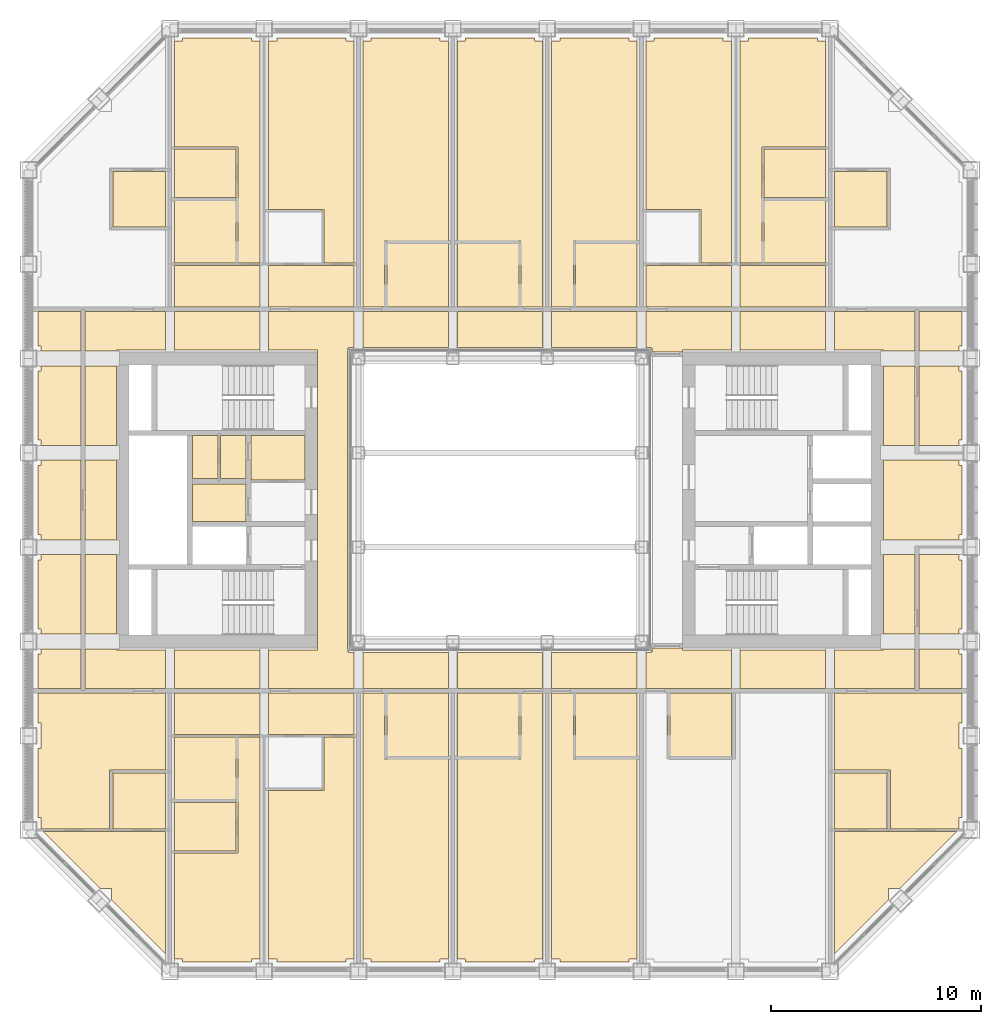
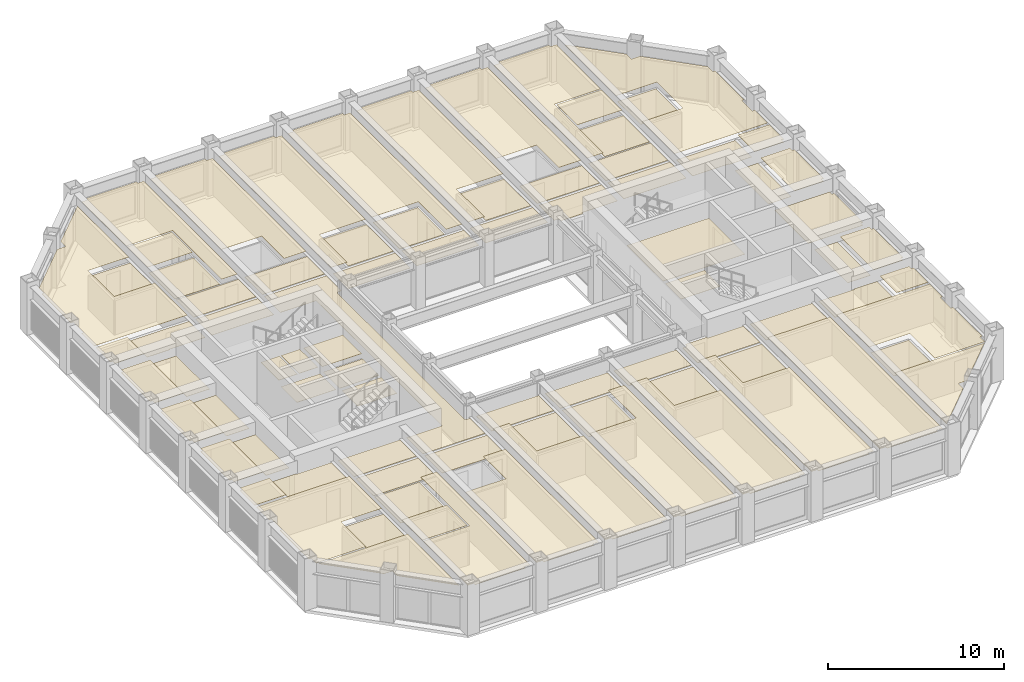
# One storey, part 17 of 18: 4 coverings.
"""IFC4 building model written with IfcOpenShell, lengths in metres."""

from ifc_helpers import new_model, si_unit, direction, frame, origin, place, context, subcontext, project, spatial, line, indexed_curve, outline, extrude, material, layer, layer_set, type_object, element, save


model = new_model("IFC4")

# Units and contexts
model_context = context("Model", 3, precision=1e-05, world=origin(), true_north=direction((0.0, 1.0)))
body_context = subcontext(model_context, "Body", "Model", "MODEL_VIEW")
ifc_project = project(units=[si_unit("LENGTHUNIT", "METRE"), si_unit("AREAUNIT", "SQUARE_METRE"), si_unit("VOLUMEUNIT", "CUBIC_METRE"), si_unit("PLANEANGLEUNIT", "RADIAN"), si_unit("MASSUNIT", "GRAM", prefix="KILO")], contexts=[model_context])

# Site, building, storey
site_placement = place(None, origin())
site = spatial("IfcSite", under=ifc_project, at=site_placement, CompositionType="ELEMENT")
building_placement = place(site_placement, origin())
building = spatial("IfcBuilding", under=site, at=building_placement, Name="Msasa Ring Tower", CompositionType="ELEMENT")
storey_placement = place(building_placement, frame((0.0, 0.0, 186.800048828125)))
storey = spatial("IfcBuildingStorey", under=building, at=storey_placement, Name="L49", CompositionType="ELEMENT", Elevation=186.800048828125)

# Coverings
ifc_material_1 = material(Name="Gypsum plasterboard on a steel suspension grid", Category="steel")
ifc_layer_1 = layer(ifc_material_1, 0.014892578125)
ifc_layer_set_1 = layer_set([ifc_layer_1], Name="C1 SUSPENDED PLASTERBOARD CEILING 15")
covering_type_1 = type_object("IfcCoveringType", Name="C1 SUSPENDED PLASTERBOARD CEILING 15", PredefinedType="CEILING", material=ifc_layer_set_1)
covering_1_placement = place(storey_placement, frame((0.0, 0.0, 2.39990234375)))
element("IfcCovering", 1, at=covering_1_placement, inside=storey, type_object=covering_type_1, Name="Suspended Plasterboard Ceiling 15 circulation L49", PredefinedType="CEILING", context=body_context, shape_type="SweptSolid", body=[
    extrude(outline(indexed_curve([(-19.799560546875, -8.99951171875), (-19.799560546875, -7.1005859375), (-18.300537109375, -7.1005859375), (-18.300537109375, -7.150390625), (-15.960693359375, -7.150390625), (-15.960693359375, -8.99951171875)], segments=[line(1, 2, 3, 4, 5, 6, 1)], self_intersect=False)), origin(), (0.0, 0.0, 1.0), 0.01513671875),
    extrude(outline(indexed_curve([(-19.799560546875, -2.6005859375), (-18.300537109375, -2.6005859375), (-18.300537109375, -6.3994140625), (-19.799560546875, -6.3994140625)], segments=[line(1, 2, 3, 4, 1)], self_intersect=False)), origin(), (0.0, 0.0, 1.0), 0.01513671875),
    extrude(outline(indexed_curve([(-19.799560546875, 1.8994140625), (-18.300537109375, 1.8994140625), (-18.300537109375, -1.8994140625), (-19.799560546875, -1.8994140625)], segments=[line(1, 2, 3, 4, 1)], self_intersect=False)), origin(), (0.0, 0.0, 1.0), 0.01513671875),
    extrude(outline(indexed_curve([(-19.799560546875, 6.3994140625), (-18.300537109375, 6.3994140625), (-18.300537109375, 2.6005859375), (-19.799560546875, 2.6005859375)], segments=[line(1, 2, 3, 4, 1)], self_intersect=False)), origin(), (0.0, 0.0, 1.0), 0.01513671875),
    extrude(outline(indexed_curve([(-19.799560546875, 8.99951171875), (-15.960693359375, 8.99951171875), (-15.960693359375, 7.150390625), (-18.300537109375, 7.150390625), (-18.300537109375, 7.1005859375), (-19.799560546875, 7.1005859375)], segments=[line(1, 2, 3, 4, 5, 6, 1)], self_intersect=False)), origin(), (0.0, 0.0, 1.0), 0.01513671875),
    extrude(outline(indexed_curve([(-15.539306640625, -11.199462890625), (-15.539306640625, -9.200439453125), (-11.460693359375, -9.200439453125), (-11.460693359375, -11.199462890625)], segments=[line(1, 2, 3, 4, 1)], self_intersect=False)), origin(), (0.0, 0.0, 1.0), 0.01513671875),
    extrude(outline(indexed_curve([(-15.539306640625, -8.99951171875), (-15.539306640625, -7.150390625), (-11.460693359375, -7.150390625), (-11.460693359375, -8.99951171875)], segments=[line(1, 2, 3, 4, 1)], self_intersect=False)), origin(), (0.0, 0.0, 1.0), 0.01513671875),
    extrude(outline(indexed_curve([(-11.460693359375, 8.99951171875), (-11.460693359375, 7.150390625), (-15.539306640625, 7.150390625), (-15.539306640625, 8.99951171875)], segments=[line(1, 2, 3, 4, 1)], self_intersect=False)), origin(), (0.0, 0.0, 1.0), 0.01513671875),
    extrude(outline(indexed_curve([(-15.539306640625, 9.200439453125), (-15.539306640625, 11.199462890625), (-11.460693359375, 11.199462890625), (-11.460693359375, 9.200439453125)], segments=[line(1, 2, 3, 4, 1)], self_intersect=False)), origin(), (0.0, 0.0, 1.0), 0.01513671875),
    extrude(outline(indexed_curve([(-11.87451171875, -3.074462890625), (-11.87451171875, -1.275390625), (-9.300537109375, -1.275390625), (-9.300537109375, -3.074462890625)], segments=[line(1, 2, 3, 4, 1)], self_intersect=False)), origin(), (0.0, 0.0, 1.0), 0.01513671875),
    extrude(outline(indexed_curve([(-11.87451171875, -1.0244140625), (-11.87451171875, 0.844482421875), (-9.300537109375, 0.844482421875), (-9.300537109375, -1.0244140625)], segments=[line(1, 2, 3, 4, 1)], self_intersect=False)), origin(), (0.0, 0.0, 1.0), 0.01513671875),
    extrude(outline(indexed_curve([(-11.039306640625, -11.199462890625), (-11.039306640625, -9.200439453125), (-6.960693359375, -9.200439453125), (-6.960693359375, -11.199462890625)], segments=[line(1, 2, 3, 4, 1)], self_intersect=False)), origin(), (0.0, 0.0, 1.0), 0.01513671875),
    extrude(outline(indexed_curve([(-11.039306640625, -8.99951171875), (-11.039306640625, -7.150390625), (-8.699462890625, -7.150390625), (-8.699462890625, 7.150390625), (-11.039306640625, 7.150390625), (-11.039306640625, 8.99951171875), (-6.960693359375, 8.99951171875), (-6.960693359375, 7.280029296875), (-7.22998046875, 7.280029296875), (-7.22998046875, 7.23046875), (-7.280517578125, 7.23046875), (-7.280517578125, -7.23046875), (-7.22998046875, -7.23046875), (-7.22998046875, -7.280029296875), (-6.960693359375, -7.280029296875), (-6.960693359375, -8.99951171875)], segments=[line(1, 2, 3, 4, 5, 6, 7, 8, 9, 10, 11, 12, 13, 14, 15, 16, 1)], self_intersect=False)), origin(), (0.0, 0.0, 1.0), 0.01513671875),
    extrude(outline(indexed_curve([(-11.039306640625, 9.200439453125), (-11.039306640625, 11.199462890625), (-6.960693359375, 11.199462890625), (-6.960693359375, 9.200439453125)], segments=[line(1, 2, 3, 4, 1)], self_intersect=False)), origin(), (0.0, 0.0, 1.0), 0.01513671875),
    extrude(outline(indexed_curve([(-6.539306640625, -8.99951171875), (-6.539306640625, -7.280029296875), (-2.460693359375, -7.280029296875), (-2.460693359375, -8.99951171875)], segments=[line(1, 2, 3, 4, 1)], self_intersect=False)), origin(), (0.0, 0.0, 1.0), 0.01513671875),
    extrude(outline(indexed_curve([(-2.460693359375, 8.99951171875), (-2.460693359375, 7.280029296875), (-6.539306640625, 7.280029296875), (-6.539306640625, 8.99951171875)], segments=[line(1, 2, 3, 4, 1)], self_intersect=False)), origin(), (0.0, 0.0, 1.0), 0.01513671875),
    extrude(outline(indexed_curve([(-2.039306640625, -8.99951171875), (-2.039306640625, -7.280029296875), (2.039306640625, -7.280029296875), (2.039306640625, -8.99951171875)], segments=[line(1, 2, 3, 4, 1)], self_intersect=False)), origin(), (0.0, 0.0, 1.0), 0.01513671875),
    extrude(outline(indexed_curve([(2.039306640625, 8.99951171875), (2.039306640625, 7.280029296875), (-2.039306640625, 7.280029296875), (-2.039306640625, 8.99951171875)], segments=[line(1, 2, 3, 4, 1)], self_intersect=False)), origin(), (0.0, 0.0, 1.0), 0.01513671875),
    extrude(outline(indexed_curve([(2.460693359375, -8.99951171875), (2.460693359375, -7.280029296875), (6.539306640625, -7.280029296875), (6.539306640625, -8.99951171875)], segments=[line(1, 2, 3, 4, 1)], self_intersect=False)), origin(), (0.0, 0.0, 1.0), 0.01513671875),
    extrude(outline(indexed_curve([(6.539306640625, 8.99951171875), (6.539306640625, 7.280029296875), (2.460693359375, 7.280029296875), (2.460693359375, 8.99951171875)], segments=[line(1, 2, 3, 4, 1)], self_intersect=False)), origin(), (0.0, 0.0, 1.0), 0.01513671875),
    extrude(outline(indexed_curve([(6.960693359375, -8.99951171875), (6.960693359375, -7.280029296875), (7.22998046875, -7.280029296875), (7.22998046875, -7.23046875), (7.280517578125, -7.23046875), (7.280029296875, -7.050537109375), (8.699462890625, -7.050537109375), (8.699462890625, -7.150390625), (11.039306640625, -7.150390625), (11.039306640625, -8.99951171875)], segments=[line(1, 2, 3, 4, 5, 6, 7, 8, 9, 10, 1)], self_intersect=False)), origin(), (0.0, 0.0, 1.0), 0.01513671875),
    extrude(outline(indexed_curve([(11.039306640625, 8.99951171875), (11.039306640625, 7.150390625), (8.699462890625, 7.150390625), (8.699462890625, 7.050537109375), (7.280029296875, 7.050537109375), (7.280517578125, 7.23046875), (7.22998046875, 7.23046875), (7.22998046875, 7.280029296875), (6.960693359375, 7.280029296875), (6.960693359375, 8.99951171875)], segments=[line(1, 2, 3, 4, 5, 6, 7, 8, 9, 10, 1)], self_intersect=False)), origin(), (0.0, 0.0, 1.0), 0.01513671875),
    extrude(outline(indexed_curve([(6.960693359375, 9.200439453125), (6.960693359375, 11.199462890625), (11.039306640625, 11.199462890625), (11.039306640625, 9.200439453125)], segments=[line(1, 2, 3, 4, 1)], self_intersect=False)), origin(), (0.0, 0.0, 1.0), 0.01513671875),
    extrude(outline(indexed_curve([(9.300537109375, -3.074462890625), (9.300537109375, -1.275390625), (11.87451171875, -1.275390625), (11.87451171875, -3.074462890625)], segments=[line(1, 2, 3, 4, 1)], self_intersect=False)), origin(), (0.0, 0.0, 1.0), 0.01513671875),
    extrude(outline(indexed_curve([(9.300537109375, -1.0244140625), (9.300537109375, 3.074462890625), (14.674560546875, 3.074462890625), (14.674560546875, -1.0244140625)], segments=[line(1, 2, 3, 4, 1)], self_intersect=False)), origin(), (0.0, 0.0, 1.0), 0.01513671875),
    extrude(outline(indexed_curve([(11.460693359375, -8.99951171875), (11.460693359375, -7.150390625), (15.539306640625, -7.150390625), (15.539306640625, -8.99951171875)], segments=[line(1, 2, 3, 4, 1)], self_intersect=False)), origin(), (0.0, 0.0, 1.0), 0.01513671875),
    extrude(outline(indexed_curve([(15.539306640625, 8.99951171875), (15.539306640625, 7.150390625), (11.460693359375, 7.150390625), (11.460693359375, 8.99951171875)], segments=[line(1, 2, 3, 4, 1)], self_intersect=False)), origin(), (0.0, 0.0, 1.0), 0.01513671875),
    extrude(outline(indexed_curve([(11.460693359375, 9.200439453125), (11.460693359375, 11.199462890625), (15.539306640625, 11.199462890625), (15.539306640625, 9.200439453125)], segments=[line(1, 2, 3, 4, 1)], self_intersect=False)), origin(), (0.0, 0.0, 1.0), 0.01513671875),
    extrude(outline(indexed_curve([(19.799560546875, -8.99951171875), (15.960693359375, -8.99951171875), (15.960693359375, -7.150390625), (18.300537109375, -7.150390625), (18.300537109375, -7.1005859375), (19.799560546875, -7.1005859375)], segments=[line(1, 2, 3, 4, 5, 6, 1)], self_intersect=False)), origin(), (0.0, 0.0, 1.0), 0.01513671875),
    extrude(outline(indexed_curve([(19.799560546875, 7.1005859375), (18.300537109375, 7.1005859375), (18.300537109375, 7.150390625), (15.960693359375, 7.150390625), (15.960693359375, 8.99951171875), (19.799560546875, 8.99951171875)], segments=[line(1, 2, 3, 4, 5, 6, 1)], self_intersect=False)), origin(), (0.0, 0.0, 1.0), 0.01513671875),
    extrude(outline(indexed_curve([(19.799560546875, -6.3994140625), (18.300537109375, -6.3994140625), (18.300537109375, -2.6005859375), (19.799560546875, -2.6005859375)], segments=[line(1, 2, 3, 4, 1)], self_intersect=False)), origin(), (0.0, 0.0, 1.0), 0.01513671875),
    extrude(outline(indexed_curve([(22.049560546875, -1.6494140625), (21.8994140625, -1.6494140625), (21.8994140625, -1.8994140625), (18.300537109375, -1.8994140625), (18.300537109375, 1.8994140625), (21.8994140625, 1.8994140625), (21.8994140625, 1.6494140625), (22.049560546875, 1.6494140625)], segments=[line(1, 2, 3, 4, 5, 6, 7, 8, 1)], self_intersect=False)), origin(), (0.0, 0.0, 1.0), 0.01513671875),
    extrude(outline(indexed_curve([(19.799560546875, 2.6005859375), (18.300537109375, 2.6005859375), (18.300537109375, 6.3994140625), (19.799560546875, 6.3994140625)], segments=[line(1, 2, 3, 4, 1)], self_intersect=False)), origin(), (0.0, 0.0, 1.0), 0.01513671875),
])
covering_2_placement = place(storey_placement, frame((0.0, 0.0, 2.699951171875)))
element("IfcCovering", 2, at=covering_2_placement, inside=storey, type_object=covering_type_1, Name="Suspended Plasterboard Ceiling 15 L49", PredefinedType="CEILING", context=body_context, shape_type="SweptSolid", body=[
    extrude(outline(indexed_curve([(-22.049560546875, -11.8505859375), (-21.8994140625, -11.8505859375), (-21.8994140625, -10.6494140625), (-22.049560546875, -10.6494140625), (-22.049560546875, -9.200439453125), (-15.960693359375, -9.200439453125), (-15.960693359375, -12.869384765625), (-18.630615234375, -12.869384765625), (-18.630615234375, -15.694580078125), (-21.8994140625, -15.694580078125), (-21.8994140625, -15.1494140625), (-22.049560546875, -15.1494140625)], segments=[line(1, 2, 3, 4, 5, 6, 7, 8, 9, 10, 11, 12, 1)], self_intersect=False)), origin(), (0.0, 0.0, 1.0), 0.014892578125),
    extrude(outline(indexed_curve([(-15.960693359375, 12.869384765625), (-15.960693359375, 9.200439453125), (-22.049560546875, 9.200439453125), (-22.049560546875, 10.6494140625), (-21.8994140625, 10.6494140625), (-21.8994140625, 11.8505859375), (-22.049560546875, 11.8505859375), (-22.049560546875, 15.1494140625), (-21.8994140625, 15.1494140625), (-21.8994140625, 15.71337890625), (-19.08837890625, 18.5244140625), (-18.5244140625, 18.5244140625), (-18.5244140625, 19.08837890625), (-15.960693359375, 21.652099609375), (-15.960693359375, 15.83056640625), (-18.630615234375, 15.83056640625), (-18.630615234375, 12.869384765625)], segments=[line(1, 2, 3, 4, 5, 6, 7, 8, 9, 10, 11, 12, 13, 14, 15, 16, 17, 1)], self_intersect=False)), origin(), (0.0, 0.0, 1.0), 0.014892578125),
    extrude(outline(indexed_curve([(-18.5244140625, -19.08837890625), (-18.5244140625, -18.5244140625), (-19.08837890625, -18.5244140625), (-21.807373046875, -15.805419921875), (-15.960693359375, -15.805419921875), (-15.960693359375, -21.652099609375)], segments=[line(1, 2, 3, 4, 5, 6, 1)], self_intersect=False)), origin(), (0.0, 0.0, 1.0), 0.014892578125),
    extrude(outline(indexed_curve([(-15.1494140625, -22.049560546875), (-15.1494140625, -21.8994140625), (-15.539306640625, -21.8994140625), (-15.539306640625, -16.8505859375), (-12.49951171875, -16.8505859375), (-12.49951171875, -11.300537109375), (-11.460693359375, -11.300537109375), (-11.460693359375, -21.8994140625), (-11.8505859375, -21.8994140625), (-11.8505859375, -22.049560546875)], segments=[line(1, 2, 3, 4, 5, 6, 7, 8, 9, 10, 1)], self_intersect=False)), origin(), (0.0, 0.0, 1.0), 0.014892578125),
    extrude(outline(indexed_curve([(-12.6005859375, -14.430419921875), (-12.6005859375, -16.744384765625), (-15.539306640625, -16.744384765625), (-15.539306640625, -14.430419921875)], segments=[line(1, 2, 3, 4, 1)], self_intersect=False)), origin(), (0.0, 0.0, 1.0), 0.014892578125),
    extrude(outline(indexed_curve([(-11.8505859375, 22.049560546875), (-11.8505859375, 21.8994140625), (-11.460693359375, 21.8994140625), (-11.460693359375, 11.300537109375), (-12.49951171875, 11.300537109375), (-12.49951171875, 16.8505859375), (-15.539306640625, 16.8505859375), (-15.539306640625, 21.8994140625), (-15.1494140625, 21.8994140625), (-15.1494140625, 22.049560546875)], segments=[line(1, 2, 3, 4, 5, 6, 7, 8, 9, 10, 1)], self_intersect=False)), origin(), (0.0, 0.0, 1.0), 0.014892578125),
    extrude(outline(indexed_curve([(-12.6005859375, 16.744384765625), (-12.6005859375, 14.430419921875), (-15.539306640625, 14.430419921875), (-15.539306640625, 16.744384765625)], segments=[line(1, 2, 3, 4, 1)], self_intersect=False)), origin(), (0.0, 0.0, 1.0), 0.014892578125),
    extrude(outline(indexed_curve([(-13.45556640625, 3.074462890625), (-13.45556640625, 1.025390625), (-14.674560546875, 1.025390625), (-14.674560546875, 3.074462890625)], segments=[line(1, 2, 3, 4, 1)], self_intersect=False)), origin(), (0.0, 0.0, 1.0), 0.014892578125),
    extrude(outline(indexed_curve([(-6.960693359375, -11.300537109375), (-6.960693359375, -21.8994140625), (-7.3505859375, -21.8994140625), (-7.3505859375, -22.049560546875), (-10.6494140625, -22.049560546875), (-10.6494140625, -21.8994140625), (-11.039306640625, -21.8994140625), (-11.039306640625, -13.8505859375), (-8.3994140625, -13.8505859375), (-8.3994140625, -11.300537109375)], segments=[line(1, 2, 3, 4, 5, 6, 7, 8, 9, 10, 1)], self_intersect=False)), origin(), (0.0, 0.0, 1.0), 0.014892578125),
    extrude(outline(indexed_curve([(-7.3505859375, 22.049560546875), (-7.3505859375, 21.8994140625), (-6.960693359375, 21.8994140625), (-6.960693359375, 11.300537109375), (-8.3994140625, 11.300537109375), (-8.3994140625, 13.8505859375), (-11.039306640625, 13.8505859375), (-11.039306640625, 21.8994140625), (-10.6494140625, 21.8994140625), (-10.6494140625, 22.049560546875)], segments=[line(1, 2, 3, 4, 5, 6, 7, 8, 9, 10, 1)], self_intersect=False)), origin(), (0.0, 0.0, 1.0), 0.014892578125),
    extrude(outline(indexed_curve([(-5.50048828125, -9.200439453125), (-5.50048828125, -12.3505859375), (-2.460693359375, -12.3505859375), (-2.460693359375, -21.8994140625), (-2.8505859375, -21.8994140625), (-2.8505859375, -22.049560546875), (-6.1494140625, -22.049560546875), (-6.1494140625, -21.8994140625), (-6.539306640625, -21.8994140625), (-6.539306640625, -9.200439453125)], segments=[line(1, 2, 3, 4, 5, 6, 7, 8, 9, 10, 1)], self_intersect=False)), origin(), (0.0, 0.0, 1.0), 0.014892578125),
    extrude(outline(indexed_curve([(-2.8505859375, 22.049560546875), (-2.8505859375, 21.8994140625), (-2.460693359375, 21.8994140625), (-2.460693359375, 12.3505859375), (-5.50048828125, 12.3505859375), (-5.50048828125, 9.200439453125), (-6.539306640625, 9.200439453125), (-6.539306640625, 21.8994140625), (-6.1494140625, 21.8994140625), (-6.1494140625, 22.049560546875)], segments=[line(1, 2, 3, 4, 5, 6, 7, 8, 9, 10, 1)], self_intersect=False)), origin(), (0.0, 0.0, 1.0), 0.014892578125),
    extrude(outline(indexed_curve([(-1.6494140625, -22.049560546875), (-1.6494140625, -21.8994140625), (-2.039306640625, -21.8994140625), (-2.039306640625, -12.3505859375), (1.00048828125, -12.3505859375), (1.00048828125, -9.200439453125), (2.039306640625, -9.200439453125), (2.039306640625, -21.8994140625), (1.6494140625, -21.8994140625), (1.6494140625, -22.049560546875)], segments=[line(1, 2, 3, 4, 5, 6, 7, 8, 9, 10, 1)], self_intersect=False)), origin(), (0.0, 0.0, 1.0), 0.014892578125),
    extrude(outline(indexed_curve([(1.00048828125, 9.200439453125), (1.00048828125, 12.3505859375), (-2.039306640625, 12.3505859375), (-2.039306640625, 21.8994140625), (-1.6494140625, 21.8994140625), (-1.6494140625, 22.049560546875), (1.6494140625, 22.049560546875), (1.6494140625, 21.8994140625), (2.039306640625, 21.8994140625), (2.039306640625, 9.200439453125)], segments=[line(1, 2, 3, 4, 5, 6, 7, 8, 9, 10, 1)], self_intersect=False)), origin(), (0.0, 0.0, 1.0), 0.014892578125),
    extrude(outline(indexed_curve([(2.8505859375, -22.049560546875), (2.8505859375, -21.8994140625), (2.460693359375, -21.8994140625), (2.460693359375, -9.200439453125), (3.49951171875, -9.200439453125), (3.49951171875, -12.3505859375), (6.539306640625, -12.3505859375), (6.539306640625, -21.8994140625), (6.1494140625, -21.8994140625), (6.1494140625, -22.049560546875)], segments=[line(1, 2, 3, 4, 5, 6, 7, 8, 9, 10, 1)], self_intersect=False)), origin(), (0.0, 0.0, 1.0), 0.014892578125),
    extrude(outline(indexed_curve([(2.460693359375, 9.200439453125), (2.460693359375, 21.8994140625), (2.8505859375, 21.8994140625), (2.8505859375, 22.049560546875), (6.1494140625, 22.049560546875), (6.1494140625, 21.8994140625), (6.539306640625, 21.8994140625), (6.539306640625, 12.3505859375), (3.49951171875, 12.3505859375), (3.49951171875, 9.200439453125)], segments=[line(1, 2, 3, 4, 5, 6, 7, 8, 9, 10, 1)], self_intersect=False)), origin(), (0.0, 0.0, 1.0), 0.014892578125),
    extrude(outline(indexed_curve([(11.039306640625, -12.3505859375), (11.039306640625, -21.8994140625), (10.6494140625, -21.8994140625), (10.6494140625, -22.049560546875), (7.3505859375, -22.049560546875), (7.3505859375, -21.8994140625), (6.960693359375, -21.8994140625), (6.960693359375, -9.200439453125), (7.99951171875, -9.200439453125), (7.99951171875, -12.3505859375)], segments=[line(1, 2, 3, 4, 5, 6, 7, 8, 9, 10, 1)], self_intersect=False)), origin(), (0.0, 0.0, 1.0), 0.014892578125),
    extrude(outline(indexed_curve([(9.6005859375, 11.300537109375), (9.6005859375, 13.8505859375), (6.960693359375, 13.8505859375), (6.960693359375, 21.8994140625), (7.3505859375, 21.8994140625), (7.3505859375, 22.049560546875), (10.6494140625, 22.049560546875), (10.6494140625, 21.8994140625), (11.039306640625, 21.8994140625), (11.039306640625, 11.300537109375)], segments=[line(1, 2, 3, 4, 5, 6, 7, 8, 9, 10, 1)], self_intersect=False)), origin(), (0.0, 0.0, 1.0), 0.014892578125),
    extrude(outline(indexed_curve([(15.539306640625, -9.200439453125), (15.539306640625, -21.8994140625), (15.1494140625, -21.8994140625), (15.1494140625, -22.049560546875), (11.8505859375, -22.049560546875), (11.8505859375, -21.8994140625), (11.460693359375, -21.8994140625), (11.460693359375, -9.200439453125)], segments=[line(1, 2, 3, 4, 5, 6, 7, 8, 1)], self_intersect=False)), origin(), (0.0, 0.0, 1.0), 0.014892578125),
    extrude(outline(indexed_curve([(15.1494140625, 22.049560546875), (15.1494140625, 21.8994140625), (15.539306640625, 21.8994140625), (15.539306640625, 16.8505859375), (12.49951171875, 16.8505859375), (12.49951171875, 11.300537109375), (11.460693359375, 11.300537109375), (11.460693359375, 21.8994140625), (11.8505859375, 21.8994140625), (11.8505859375, 22.049560546875)], segments=[line(1, 2, 3, 4, 5, 6, 7, 8, 9, 10, 1)], self_intersect=False)), origin(), (0.0, 0.0, 1.0), 0.014892578125),
    extrude(outline(indexed_curve([(15.539306640625, 16.744384765625), (15.539306640625, 14.430419921875), (12.6005859375, 14.430419921875), (12.6005859375, 16.744384765625)], segments=[line(1, 2, 3, 4, 1)], self_intersect=False)), origin(), (0.0, 0.0, 1.0), 0.014892578125),
    extrude(outline(indexed_curve([(21.807373046875, -15.805419921875), (19.08837890625, -18.5244140625), (18.5244140625, -18.5244140625), (18.5244140625, -19.08837890625), (15.960693359375, -21.652099609375), (15.960693359375, -15.805419921875)], segments=[line(1, 2, 3, 4, 5, 6, 1)], self_intersect=False)), origin(), (0.0, 0.0, 1.0), 0.014892578125),
    extrude(outline(indexed_curve([(22.049560546875, -9.200439453125), (22.049560546875, -10.6494140625), (21.8994140625, -10.6494140625), (21.8994140625, -11.8505859375), (22.049560546875, -11.8505859375), (22.049560546875, -15.1494140625), (21.8994140625, -15.1494140625), (21.8994140625, -15.694580078125), (18.630615234375, -15.694580078125), (18.630615234375, -12.869384765625), (15.960693359375, -12.869384765625), (15.960693359375, -9.200439453125)], segments=[line(1, 2, 3, 4, 5, 6, 7, 8, 9, 10, 11, 12, 1)], self_intersect=False)), origin(), (0.0, 0.0, 1.0), 0.014892578125),
    extrude(outline(indexed_curve([(18.5244140625, 19.08837890625), (18.5244140625, 18.5244140625), (19.08837890625, 18.5244140625), (21.8994140625, 15.71337890625), (21.8994140625, 15.1494140625), (22.049560546875, 15.1494140625), (22.049560546875, 11.8505859375), (21.8994140625, 11.8505859375), (21.8994140625, 10.6494140625), (22.049560546875, 10.6494140625), (22.049560546875, 9.200439453125), (15.960693359375, 9.200439453125), (15.960693359375, 12.869384765625), (18.630615234375, 12.869384765625), (18.630615234375, 15.83056640625), (15.960693359375, 15.83056640625), (15.960693359375, 21.652099609375)], segments=[line(1, 2, 3, 4, 5, 6, 7, 8, 9, 10, 11, 12, 13, 14, 15, 16, 17, 1)], self_intersect=False)), origin(), (0.0, 0.0, 1.0), 0.014892578125),
])
ifc_material_2 = material(Name="Moisture-resistant gypsum plasterboard on a steel suspension grid", Category="steel")
ifc_layer_2 = layer(ifc_material_2, 0.014892578125)
ifc_layer_set_2 = layer_set([ifc_layer_2], Name="C2 MOISTURE-RESISTANT PLASTERBOARD CEILING 15")
covering_type_2 = type_object("IfcCoveringType", Name="C2 MOISTURE-RESISTANT PLASTERBOARD CEILING 15", PredefinedType="CEILING", material=ifc_layer_set_2)
covering_3_placement = place(storey_placement, frame((0.0, 0.0, 2.39990234375)))
element("IfcCovering", 3, at=covering_3_placement, inside=storey, type_object=covering_type_2, Name="Moisture-Resistant Plasterboard Ceiling 15 L49", PredefinedType="CEILING", context=body_context, shape_type="SweptSolid", body=[
    extrude(outline(indexed_curve([(-18.469482421875, -15.694580078125), (-18.469482421875, -13.030517578125), (-15.960693359375, -13.030517578125), (-15.960693359375, -15.694580078125)], segments=[line(1, 2, 3, 4, 1)], self_intersect=False)), origin(), (0.0, 0.0, 1.0), 0.01513671875),
    extrude(outline(indexed_curve([(-18.469482421875, 15.66943359375), (-15.960693359375, 15.66943359375), (-15.960693359375, 13.030517578125), (-18.469482421875, 13.030517578125)], segments=[line(1, 2, 3, 4, 1)], self_intersect=False)), origin(), (0.0, 0.0, 1.0), 0.01513671875),
    extrude(outline(indexed_curve([(-12.6005859375, -11.300537109375), (-12.6005859375, -14.299560546875), (-15.539306640625, -14.299560546875), (-15.539306640625, -11.300537109375)], segments=[line(1, 2, 3, 4, 1)], self_intersect=False)), origin(), (0.0, 0.0, 1.0), 0.01513671875),
    extrude(outline(indexed_curve([(-12.6005859375, 14.299560546875), (-12.6005859375, 11.300537109375), (-15.539306640625, 11.300537109375), (-15.539306640625, 14.299560546875)], segments=[line(1, 2, 3, 4, 1)], self_intersect=False)), origin(), (0.0, 0.0, 1.0), 0.01513671875),
    extrude(outline(indexed_curve([(-14.674560546875, 0.7744140625), (-12.12548828125, 0.7744140625), (-12.12548828125, -1.0244140625), (-14.674560546875, -1.0244140625)], segments=[line(1, 2, 3, 4, 1)], self_intersect=False)), origin(), (0.0, 0.0, 1.0), 0.01513671875),
    extrude(outline(indexed_curve([(-5.3994140625, -9.200439453125), (-2.460693359375, -9.200439453125), (-2.460693359375, -12.24951171875), (-5.3994140625, -12.24951171875)], segments=[line(1, 2, 3, 4, 1)], self_intersect=False)), origin(), (0.0, 0.0, 1.0), 0.01513671875),
    extrude(outline(indexed_curve([(-5.3994140625, 12.24951171875), (-2.460693359375, 12.24951171875), (-2.460693359375, 9.200439453125), (-5.3994140625, 9.200439453125)], segments=[line(1, 2, 3, 4, 1)], self_intersect=False)), origin(), (0.0, 0.0, 1.0), 0.01513671875),
    extrude(outline(indexed_curve([(0.8994140625, -9.200439453125), (0.8994140625, -12.24951171875), (-2.039306640625, -12.24951171875), (-2.039306640625, -9.200439453125)], segments=[line(1, 2, 3, 4, 1)], self_intersect=False)), origin(), (0.0, 0.0, 1.0), 0.01513671875),
    extrude(outline(indexed_curve([(0.8994140625, 12.24951171875), (0.8994140625, 9.200439453125), (-2.039306640625, 9.200439453125), (-2.039306640625, 12.24951171875)], segments=[line(1, 2, 3, 4, 1)], self_intersect=False)), origin(), (0.0, 0.0, 1.0), 0.01513671875),
    extrude(outline(indexed_curve([(3.6005859375, -9.200439453125), (6.539306640625, -9.200439453125), (6.539306640625, -12.24951171875), (3.6005859375, -12.24951171875)], segments=[line(1, 2, 3, 4, 1)], self_intersect=False)), origin(), (0.0, 0.0, 1.0), 0.01513671875),
    extrude(outline(indexed_curve([(3.6005859375, 12.24951171875), (6.539306640625, 12.24951171875), (6.539306640625, 9.200439453125), (3.6005859375, 9.200439453125)], segments=[line(1, 2, 3, 4, 1)], self_intersect=False)), origin(), (0.0, 0.0, 1.0), 0.01513671875),
    extrude(outline(indexed_curve([(8.1005859375, -9.200439453125), (11.039306640625, -9.200439453125), (11.039306640625, -12.24951171875), (8.1005859375, -12.24951171875)], segments=[line(1, 2, 3, 4, 1)], self_intersect=False)), origin(), (0.0, 0.0, 1.0), 0.01513671875),
    extrude(outline(indexed_curve([(12.6005859375, 14.299560546875), (15.539306640625, 14.299560546875), (15.539306640625, 11.300537109375), (12.6005859375, 11.300537109375)], segments=[line(1, 2, 3, 4, 1)], self_intersect=False)), origin(), (0.0, 0.0, 1.0), 0.01513671875),
    extrude(outline(indexed_curve([(18.469482421875, -13.030517578125), (18.469482421875, -15.694580078125), (15.960693359375, -15.694580078125), (15.960693359375, -13.030517578125)], segments=[line(1, 2, 3, 4, 1)], self_intersect=False)), origin(), (0.0, 0.0, 1.0), 0.01513671875),
    extrude(outline(indexed_curve([(18.469482421875, 15.66943359375), (18.469482421875, 13.030517578125), (15.960693359375, 13.030517578125), (15.960693359375, 15.66943359375)], segments=[line(1, 2, 3, 4, 1)], self_intersect=False)), origin(), (0.0, 0.0, 1.0), 0.01513671875),
])
ifc_material_3 = material(Name="Mineral fibre ceiling tiles on an exposed steel grid", Category="steel")
ifc_layer_3 = layer(ifc_material_3, 0.02001953125)
ifc_layer_set_3 = layer_set([ifc_layer_3], Name="C3 ACOUSTIC MINERAL FIBRE TILE CEILING 20")
covering_type_3 = type_object("IfcCoveringType", Name="C3 ACOUSTIC MINERAL FIBRE TILE CEILING 20", PredefinedType="CEILING", material=ifc_layer_set_3)
covering_4_placement = place(storey_placement, frame((0.0, 0.0, 2.699951171875)))
element("IfcCovering", 4, at=covering_4_placement, inside=storey, type_object=covering_type_3, Name="Acoustic Mineral Fibre Tile Ceiling 20 L49", PredefinedType="CEILING", context=body_context, shape_type="SweptSolid", body=[
    extrude(outline(indexed_curve([(-22.049560546875, -7.3505859375), (-21.8994140625, -7.3505859375), (-21.8994140625, -7.1005859375), (-20.00048828125, -7.1005859375), (-20.00048828125, -8.99951171875), (-22.049560546875, -8.99951171875)], segments=[line(1, 2, 3, 4, 5, 6, 1)], self_intersect=False)), origin(), (0.0, 0.0, 1.0), 0.02001953125),
    extrude(outline(indexed_curve([(-22.049560546875, -2.8505859375), (-21.8994140625, -2.8505859375), (-21.8994140625, -2.6005859375), (-20.00048828125, -2.6005859375), (-20.00048828125, -6.3994140625), (-21.8994140625, -6.3994140625), (-21.8994140625, -6.1494140625), (-22.049560546875, -6.1494140625)], segments=[line(1, 2, 3, 4, 5, 6, 7, 8, 1)], self_intersect=False)), origin(), (0.0, 0.0, 1.0), 0.02001953125),
    extrude(outline(indexed_curve([(-22.049560546875, 1.6494140625), (-21.8994140625, 1.6494140625), (-21.8994140625, 1.8994140625), (-20.00048828125, 1.8994140625), (-20.00048828125, -1.8994140625), (-21.8994140625, -1.8994140625), (-21.8994140625, -1.6494140625), (-22.049560546875, -1.6494140625)], segments=[line(1, 2, 3, 4, 5, 6, 7, 8, 1)], self_intersect=False)), origin(), (0.0, 0.0, 1.0), 0.02001953125),
    extrude(outline(indexed_curve([(-22.049560546875, 6.1494140625), (-21.8994140625, 6.1494140625), (-21.8994140625, 6.3994140625), (-20.00048828125, 6.3994140625), (-20.00048828125, 2.6005859375), (-21.8994140625, 2.6005859375), (-21.8994140625, 2.8505859375), (-22.049560546875, 2.8505859375)], segments=[line(1, 2, 3, 4, 5, 6, 7, 8, 1)], self_intersect=False)), origin(), (0.0, 0.0, 1.0), 0.02001953125),
    extrude(outline(indexed_curve([(-22.049560546875, 8.99951171875), (-20.00048828125, 8.99951171875), (-20.00048828125, 7.1005859375), (-21.8994140625, 7.1005859375), (-21.8994140625, 7.3505859375), (-22.049560546875, 7.3505859375)], segments=[line(1, 2, 3, 4, 5, 6, 1)], self_intersect=False)), origin(), (0.0, 0.0, 1.0), 0.02001953125),
    extrude(outline(indexed_curve([(-13.344482421875, 3.074462890625), (-12.12548828125, 3.074462890625), (-12.12548828125, 1.025390625), (-13.344482421875, 1.025390625)], segments=[line(1, 2, 3, 4, 1)], self_intersect=False)), origin(), (0.0, 0.0, 1.0), 0.02001953125),
    extrude(outline(indexed_curve([(-9.300537109375, 0.95556640625), (-11.87451171875, 0.95556640625), (-11.87451171875, 3.074462890625), (-9.300537109375, 3.074462890625)], segments=[line(1, 2, 3, 4, 1)], self_intersect=False)), origin(), (0.0, 0.0, 1.0), 0.02001953125),
    extrude(outline(indexed_curve([(22.049560546875, -8.99951171875), (20.00048828125, -8.99951171875), (20.00048828125, -7.1005859375), (21.8994140625, -7.1005859375), (21.8994140625, -7.3505859375), (22.049560546875, -7.3505859375)], segments=[line(1, 2, 3, 4, 5, 6, 1)], self_intersect=False)), origin(), (0.0, 0.0, 1.0), 0.02001953125),
    extrude(outline(indexed_curve([(22.049560546875, -6.1494140625), (21.8994140625, -6.1494140625), (21.8994140625, -6.3994140625), (20.00048828125, -6.3994140625), (20.00048828125, -2.6005859375), (21.8994140625, -2.6005859375), (21.8994140625, -2.8505859375), (22.049560546875, -2.8505859375)], segments=[line(1, 2, 3, 4, 5, 6, 7, 8, 1)], self_intersect=False)), origin(), (0.0, 0.0, 1.0), 0.02001953125),
    extrude(outline(indexed_curve([(22.049560546875, 2.8505859375), (21.8994140625, 2.8505859375), (21.8994140625, 2.6005859375), (20.00048828125, 2.6005859375), (20.00048828125, 6.3994140625), (21.8994140625, 6.3994140625), (21.8994140625, 6.1494140625), (22.049560546875, 6.1494140625)], segments=[line(1, 2, 3, 4, 5, 6, 7, 8, 1)], self_intersect=False)), origin(), (0.0, 0.0, 1.0), 0.02001953125),
    extrude(outline(indexed_curve([(22.049560546875, 7.3505859375), (21.8994140625, 7.3505859375), (21.8994140625, 7.1005859375), (20.00048828125, 7.1005859375), (20.00048828125, 8.99951171875), (22.049560546875, 8.99951171875)], segments=[line(1, 2, 3, 4, 5, 6, 1)], self_intersect=False)), origin(), (0.0, 0.0, 1.0), 0.02001953125),
])

save(model, "model.ifc")
